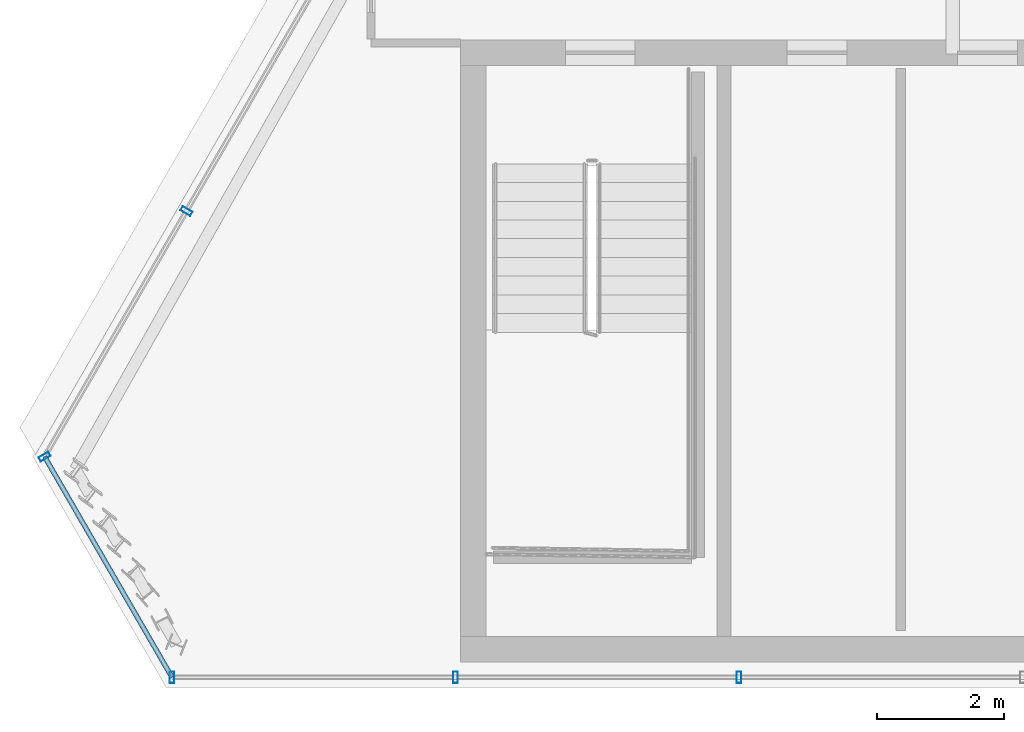
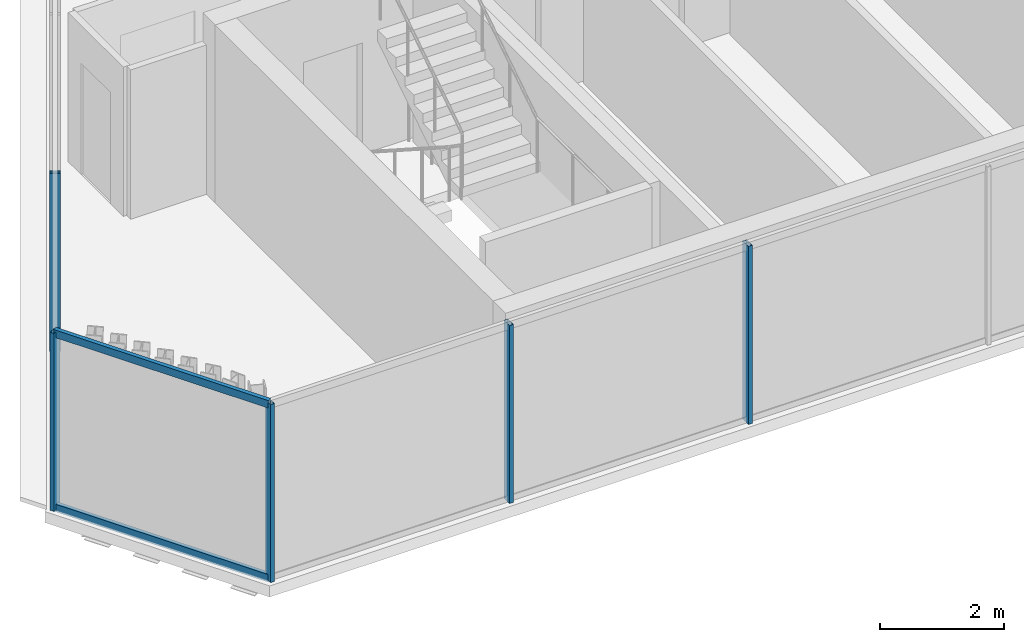
# One storey, part 3 of 32: 7 members, 3 elements without a shape of their own.
"""IFC4 building model written with IfcOpenShell, lengths in metres."""

from ifc_helpers import new_model, si_unit, direction, frame, origin, origin_2d, place, context, subcontext, project, spatial, hollow_rectangle, extrude, material, layer, layer_set, material_profile, profile_set, type_object, element, aggregate, save


model = new_model("IFC4")

# Units and contexts
model_context = context("Model", 3, precision=1e-05, world=origin(), true_north=direction((0.0, 1.0)))
body_context = subcontext(model_context, "Body", "Model", "MODEL_VIEW")
ifc_project = project(units=[si_unit("LENGTHUNIT", "METRE"), si_unit("AREAUNIT", "SQUARE_METRE"), si_unit("VOLUMEUNIT", "CUBIC_METRE"), si_unit("PLANEANGLEUNIT", "RADIAN"), si_unit("MASSUNIT", "GRAM", prefix="KILO")], contexts=[model_context])

# Site, building, storey
site_placement = place(None, origin())
site = spatial("IfcSite", under=ifc_project, at=site_placement, CompositionType="ELEMENT")
building_placement = place(site_placement, origin())
building = spatial("IfcBuilding", under=site, at=building_placement, Name="Ndaravel Arena Tower", CompositionType="ELEMENT")
storey_placement = place(building_placement, frame((0.0, 0.0, 294.699951171875)))
storey = spatial("IfcBuildingStorey", under=building, at=storey_placement, Name="L72", CompositionType="ELEMENT", Elevation=294.699951171875)

# Curtain wall, members
ifc_material_1 = material(Name="Aluminium", Category="aluminium")
ifc_layer_1 = layer(ifc_material_1, 0.179931640625)
ifc_layer_set_1 = layer_set([ifc_layer_1], Name="Aluminium")
curtain_wall_type_1 = type_object("IfcCurtainWallType", Name="CW-SYS-03", PredefinedType="NOTDEFINED", material=ifc_layer_set_1)
curtain_wall_1_placement = place(storey_placement, origin())
curtain_wall_1 = element("IfcCurtainWall", 1, at=curtain_wall_1_placement, inside=storey, type_object=curtain_wall_type_1, Name="L72 Faceted Crystal Curtain Wall CW-L72-E01", PredefinedType="NOTDEFINED")
ifc_material_2 = material(Name="Aluminium", Category="aluminium")
ifc_material_profile_1 = material_profile(ifc_material_2, hollow_rectangle(XDim=0.074951171875, YDim=0.179931640625, WallThickness=0.00390625, at=origin_2d()), Name="CW MULLION 75x180x4")
ifc_profile_set_1 = profile_set([ifc_material_profile_1], Name="Aluminium")
member_type_1 = type_object("IfcMemberType", Name="MEM-CW-MUL180", PredefinedType="MULLION", material=ifc_profile_set_1)
member_1_placement = place(storey_placement, frame((21.902587890625, 5.159912109375, 0.0), z_axis=(0.0, 0.0, 1.0), x_axis=(1.0, 0.0, 0.0)))
member_1 = element("IfcMember", 2, at=member_1_placement, type_object=member_type_1, Name="CW-L72-E01 Mullion 00", PredefinedType="MULLION", context=body_context, shape_type="SweptSolid", body=[
    extrude(hollow_rectangle(XDim=0.074951171875, YDim=0.179931640625, WallThickness=0.00390625, at=origin_2d()), origin(), (0.0, 0.0, 1.0), 3.52001953125),
])
member_2_placement = place(storey_placement, frame((26.368896484375, 5.159912109375, 0.0), z_axis=(0.0, 0.0, 1.0), x_axis=(1.0, 0.0, 0.0)))
member_2 = element("IfcMember", 3, at=member_2_placement, type_object=member_type_1, Name="CW-L72-E01 Mullion 01", PredefinedType="MULLION", context=body_context, shape_type="SweptSolid", body=[
    extrude(hollow_rectangle(XDim=0.074951171875, YDim=0.179931640625, WallThickness=0.00390625, at=origin_2d()), origin(), (0.0, 0.0, 1.0), 3.52001953125),
])
member_3_placement = place(storey_placement, frame((30.834716796875, 5.159912109375, 0.0), z_axis=(0.0, 0.0, 1.0), x_axis=(1.0, 0.0, 0.0)))
member_3 = element("IfcMember", 4, at=member_3_placement, type_object=member_type_1, Name="CW-L72-E01 Mullion 02", PredefinedType="MULLION", context=body_context, shape_type="SweptSolid", body=[
    extrude(hollow_rectangle(XDim=0.074951171875, YDim=0.179931640625, WallThickness=0.00390625, at=origin_2d()), origin(), (0.0, 0.0, 1.0), 3.52001953125),
])
aggregate(curtain_wall_1, [member_1, member_2, member_3])

# Curtain wall, member
curtain_wall_2_placement = place(storey_placement, origin())
curtain_wall_2 = element("IfcCurtainWall", 5, at=curtain_wall_2_placement, inside=storey, type_object=curtain_wall_type_1, Name="L72 Faceted Crystal Curtain Wall CW-L72-E05", PredefinedType="NOTDEFINED")
member_4_placement = place(storey_placement, frame((22.12890625, 12.503662109375, 0.0), z_axis=(0.0, 0.0, 1.0), x_axis=(-0.5, -0.866025403784, 0.0)))
member_4 = element("IfcMember", 6, at=member_4_placement, type_object=member_type_1, Name="CW-L72-E05 Mullion 08", PredefinedType="MULLION", context=body_context, shape_type="SweptSolid", body=[
    extrude(hollow_rectangle(XDim=0.074951171875, YDim=0.179931640625, WallThickness=0.00390625, at=origin_2d()), origin(), (0.0, 0.0, 1.0), 3.52001953125),
])
aggregate(curtain_wall_2, [member_4])

# Curtain wall, members
ifc_material_3 = material(Name="Aluminium", Category="aluminium")
ifc_layer_2 = layer(ifc_material_3, 0.179931640625)
ifc_layer_set_2 = layer_set([ifc_layer_2], Name="Aluminium")
curtain_wall_type_2 = type_object("IfcCurtainWallType", Name="CW-SYS-02", PredefinedType="NOTDEFINED", material=ifc_layer_set_2)
curtain_wall_3_placement = place(storey_placement, origin())
curtain_wall_3 = element("IfcCurtainWall", 7, at=curtain_wall_3_placement, inside=storey, type_object=curtain_wall_type_2, Name="L72 Faceted Crystal Curtain Wall CW-L72-E06", PredefinedType="NOTDEFINED")
member_5_placement = place(storey_placement, frame((19.89599609375, 8.635986328125, 0.0), z_axis=(0.0, 0.0, 1.0), x_axis=(0.5, -0.866025403784, 0.0)))
member_5 = element("IfcMember", 8, at=member_5_placement, type_object=member_type_1, Name="CW-L72-E06 Mullion 00", PredefinedType="MULLION", context=body_context, shape_type="SweptSolid", body=[
    extrude(hollow_rectangle(XDim=0.074951171875, YDim=0.179931640625, WallThickness=0.00390625, at=origin_2d()), origin(), (0.0, 0.0, 1.0), 3.52001953125),
])
ifc_material_4 = material(Name="Aluminium", Category="aluminium")
ifc_material_profile_2 = material_profile(ifc_material_4, hollow_rectangle(XDim=0.074951171875, YDim=0.14990234375, WallThickness=0.00390625, at=origin_2d()), Name="CW TRANSOM 75x150x4")
ifc_profile_set_2 = profile_set([ifc_material_profile_2], Name="Aluminium")
member_type_2 = type_object("IfcMemberType", Name="MEM-CW-TRN150", PredefinedType="USERDEFINED", material=ifc_profile_set_2)
member_6_placement = place(storey_placement, frame((19.89599609375, 8.635986328125, 0.0400390625), z_axis=(0.499940093004, -0.866059988342, 0.0), x_axis=(0.866059988342, 0.499940093004, 0.0)))
member_6 = element("IfcMember", 9, at=member_6_placement, type_object=member_type_2, Name="CW-L72-E06 Transom 01", ObjectType="TRANSOM", PredefinedType="USERDEFINED", context=body_context, shape_type="SweptSolid", body=[
    extrude(hollow_rectangle(XDim=0.074951171875, YDim=0.14990234375, WallThickness=0.00390625, at=origin_2d()), origin(), (0.0, 0.0, 1.0), 4.013671875),
])
member_7_placement = place(storey_placement, frame((19.89599609375, 8.635986328125, 3.47998046875), z_axis=(0.499940093004, -0.866059988342, 0.0), x_axis=(0.866059988342, 0.499940093004, 0.0)))
member_7 = element("IfcMember", 10, at=member_7_placement, type_object=member_type_2, Name="CW-L72-E06 Transom 02", ObjectType="TRANSOM", PredefinedType="USERDEFINED", context=body_context, shape_type="SweptSolid", body=[
    extrude(hollow_rectangle(XDim=0.074951171875, YDim=0.14990234375, WallThickness=0.00390625, at=origin_2d()), origin(), (0.0, 0.0, 1.0), 4.013671875),
])
aggregate(curtain_wall_3, [member_5, member_6, member_7])

save(model, "model.ifc")
